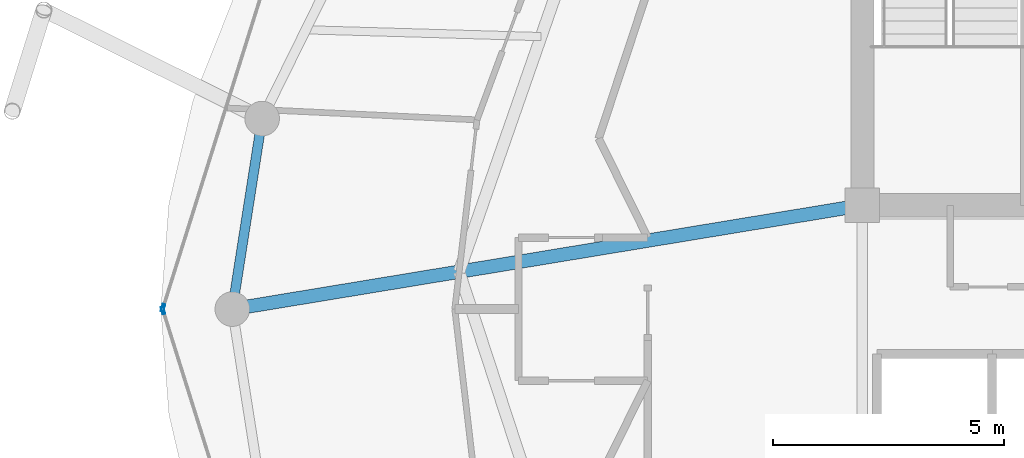
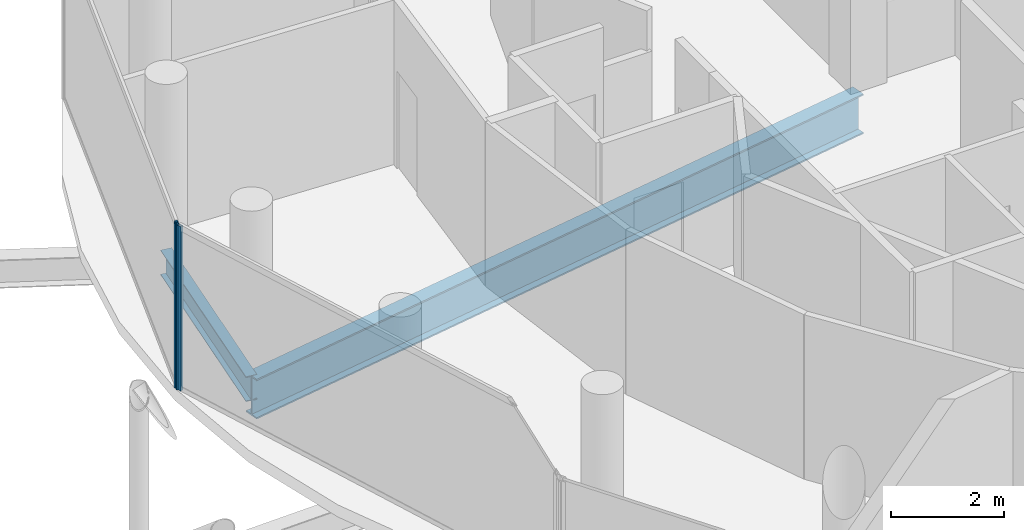
# One storey, part 6 of 24: 2 beams, 2 members, 2 elements without a shape of their own.
"""IFC4 building model written with IfcOpenShell, lengths in metres."""

from ifc_helpers import new_model, si_unit, direction, frame, origin, origin_2d, place, context, subcontext, project, spatial, hollow_rectangle, i_section, extrude, material, layer, layer_set, material_profile, profile_set, type_object, element, aggregate, save


model = new_model("IFC4")

# Units and contexts
model_context = context("Model", 3, precision=1e-05, world=origin(), true_north=direction((0.0, 1.0)))
body_context = subcontext(model_context, "Body", "Model", "MODEL_VIEW")
ifc_project = project(units=[si_unit("LENGTHUNIT", "METRE"), si_unit("AREAUNIT", "SQUARE_METRE"), si_unit("VOLUMEUNIT", "CUBIC_METRE"), si_unit("PLANEANGLEUNIT", "RADIAN"), si_unit("MASSUNIT", "GRAM", prefix="KILO")], contexts=[model_context])

# Site, building, storey
site_placement = place(None, origin())
site = spatial("IfcSite", under=ifc_project, at=site_placement, CompositionType="ELEMENT")
building_placement = place(site_placement, origin())
building = spatial("IfcBuilding", under=site, at=building_placement, Name="Nuhasar Tower", CompositionType="ELEMENT")
storey_placement = place(building_placement, frame((0.0, 0.0, 259.39990234375)))
storey = spatial("IfcBuildingStorey", under=building, at=storey_placement, Name="L64", CompositionType="ELEMENT", Elevation=259.39990234375)

# Beams
ifc_material_1 = material(Name="Steel S355", Category="steel")
ifc_material_profile_1 = material_profile(ifc_material_1, i_section(OverallWidth=0.2919921875, OverallDepth=0.85888671875, WebThickness=0.01708984375, FlangeThickness=0.031005859375, at=origin_2d()), Name="W33X169")
ifc_profile_set_1 = profile_set([ifc_material_profile_1], Name="Steel S355")
beam_type_1 = type_object("IfcBeamType", Name="BM-POD-W33X169", PredefinedType="BEAM", material=ifc_profile_set_1)
beam_1_placement = place(storey_placement, frame((33.699951171875, 29.050048828125, -0.68994140625), z_axis=(-0.986685215874, -0.162641583786, 0.0), x_axis=(0.162641583786, -0.986685215874, 0.0)))
element("IfcBeam", 1, at=beam_1_placement, inside=storey, type_object=beam_type_1, Name="L64 Radial Floor Girder 08", PredefinedType="BEAM", context=body_context, shape_type="SweptSolid", body=[
    extrude(i_section(OverallWidth=0.2919921875, OverallDepth=0.85888671875, WebThickness=0.01708984375, FlangeThickness=0.031005859375, at=origin_2d()), origin(), (0.0, 0.0, 1.0), 13.833984375),
])
ifc_material_profile_2 = material_profile(ifc_material_1, i_section(OverallWidth=0.2099609375, OverallDepth=0.537109375, WebThickness=0.010986328125, FlangeThickness=0.017333984375, at=origin_2d()), Name="W21X68")
ifc_profile_set_2 = profile_set([ifc_material_profile_2], Name="Steel S355")
beam_type_2 = type_object("IfcBeamType", Name="BM-RING-W21X68", PredefinedType="SPANDREL", material=ifc_profile_set_2)
beam_2_placement = place(storey_placement, frame((20.696044921875, 30.927978515625, -0.52880859375), z_axis=(-0.154612165232, -0.987975241776, 0.0), x_axis=(0.987975241776, -0.154612165232, 0.0)))
element("IfcBeam", 2, at=beam_2_placement, inside=storey, type_object=beam_type_2, Name="L64 Perimeter Ring Spandrel 12", PredefinedType="SPANDREL", context=body_context, shape_type="SweptSolid", body=[
    extrude(i_section(OverallWidth=0.2099609375, OverallDepth=0.537109375, WebThickness=0.010986328125, FlangeThickness=0.017333984375, at=origin_2d()), origin(), (0.0, 0.0, 1.0), 4.17822265625),
])

# Curtain wall, member
ifc_material_2 = material(Name="Aluminium 6063-T6", Category="aluminium")
ifc_layer = layer(ifc_material_2, 0.18994140625)
ifc_layer_set = layer_set([ifc_layer], Name="Aluminium 6063-T6")
curtain_wall_type = type_object("IfcCurtainWallType", Name="CW-Z4-PEN", PredefinedType="NOTDEFINED", material=ifc_layer_set)
curtain_wall_1_placement = place(storey_placement, origin())
curtain_wall_1 = element("IfcCurtainWall", 3, at=curtain_wall_1_placement, inside=storey, type_object=curtain_wall_type, Name="L64 Unitised Curtain Wall 06", PredefinedType="NOTDEFINED")
ifc_material_profile_3 = material_profile(ifc_material_2, hollow_rectangle(XDim=0.06005859375, YDim=0.1650390625, WallThickness=0.0048828125, at=origin_2d()), Name="CWM-5")
ifc_profile_set_3 = profile_set([ifc_material_profile_3], Name="Aluminium 6063-T6")
member_type = type_object("IfcMemberType", Name="CW-MUL-S5", PredefinedType="MULLION", material=ifc_profile_set_3)
member_1_placement = place(storey_placement, frame((18.549072265625, 26.82861328125, 0.0), z_axis=(0.0, 0.0, 1.0), x_axis=(0.954078526601, -0.299556614146, 0.0)))
member_1 = element("IfcMember", 4, at=member_1_placement, type_object=member_type, Name="CW-Z4 mullion 2", PredefinedType="MULLION", context=body_context, shape_type="SweptSolid", body=[
    extrude(hollow_rectangle(XDim=0.06005859375, YDim=0.1650390625, WallThickness=0.0048828125, at=origin_2d()), origin(), (0.0, 0.0, 1.0), 3.5400390625),
])
aggregate(curtain_wall_1, [member_1])

curtain_wall_2_placement = place(storey_placement, origin())
curtain_wall_2 = element("IfcCurtainWall", 5, at=curtain_wall_2_placement, inside=storey, type_object=curtain_wall_type, Name="L64 Unitised Curtain Wall 07", PredefinedType="NOTDEFINED")
member_2_placement = place(storey_placement, frame((18.549072265625, 26.771484375, 0.0), z_axis=(0.0, 0.0, 1.0), x_axis=(0.954078526601, 0.299556614146, 0.0)))
member_2 = element("IfcMember", 6, at=member_2_placement, type_object=member_type, Name="CW-Z4 mullion 1", PredefinedType="MULLION", context=body_context, shape_type="SweptSolid", body=[
    extrude(hollow_rectangle(XDim=0.06005859375, YDim=0.1650390625, WallThickness=0.0048828125, at=origin_2d()), origin(), (0.0, 0.0, 1.0), 3.5400390625),
])
aggregate(curtain_wall_2, [member_2])

save(model, "model.ifc")
